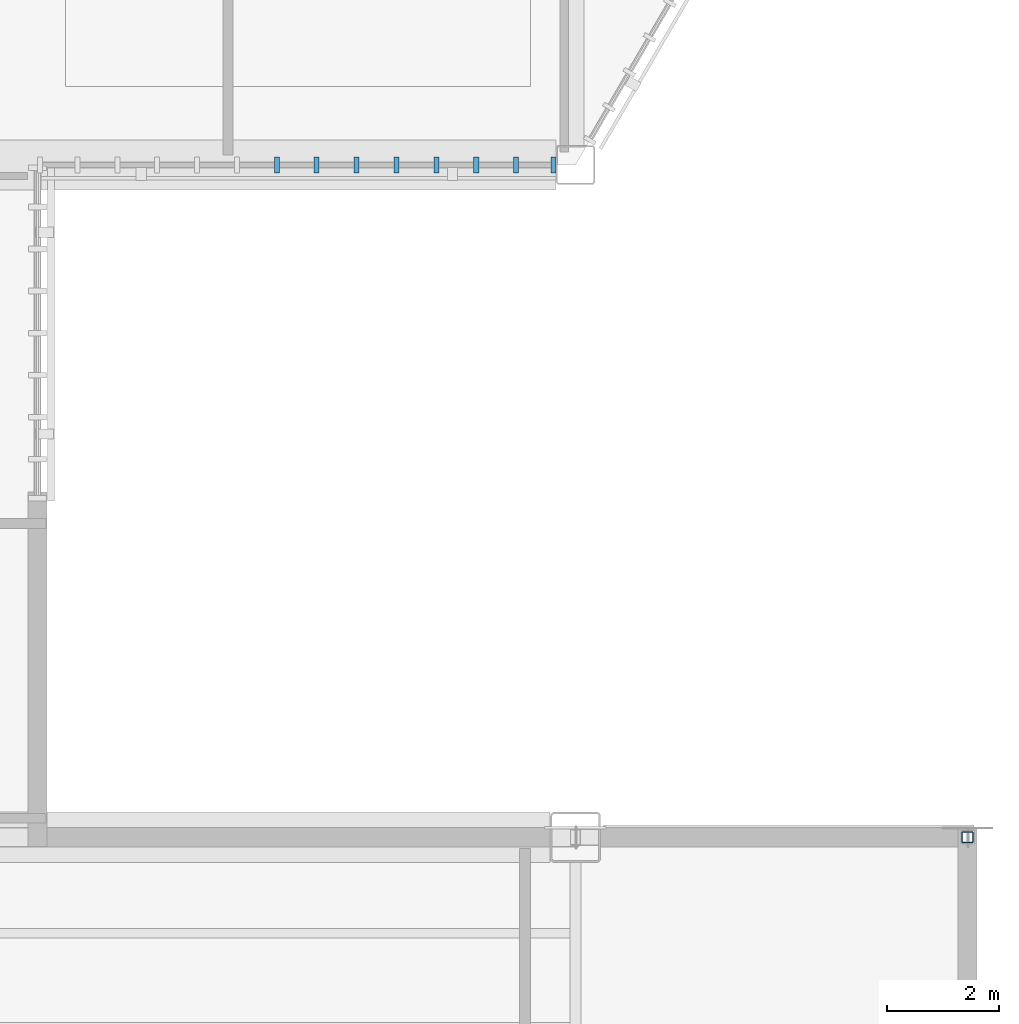
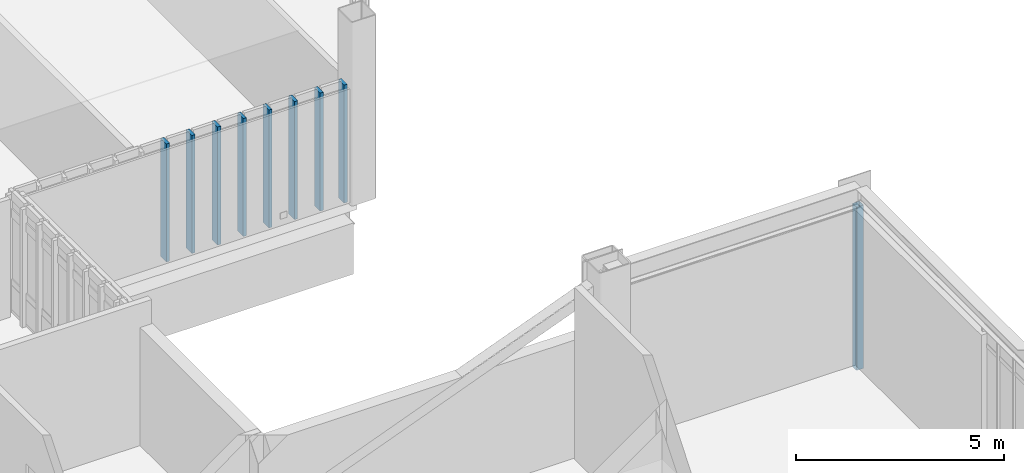
# One storey, part 31 of 127: 9 members, 1 element without a shape of its own.
"""IFC4 building model written with IfcOpenShell, lengths in metres."""

from ifc_helpers import new_model, si_unit, direction, frame, origin, origin_2d, place, context, subcontext, project, spatial, rectangle, hollow_rectangle, extrude, material, material_profile, profile_set, type_object, element, aggregate, save


model = new_model("IFC4")

# Units and contexts
model_context = context("Model", 3, precision=1e-05, world=origin(), true_north=direction((0.0, 1.0)))
body_context = subcontext(model_context, "Body", "Model", "MODEL_VIEW")
ifc_project = project(units=[si_unit("LENGTHUNIT", "METRE"), si_unit("AREAUNIT", "SQUARE_METRE"), si_unit("VOLUMEUNIT", "CUBIC_METRE"), si_unit("PLANEANGLEUNIT", "RADIAN"), si_unit("MASSUNIT", "GRAM", prefix="KILO")], contexts=[model_context])

# Site, building, storey
site_placement = place(None, origin())
site = spatial("IfcSite", under=ifc_project, at=site_placement, CompositionType="ELEMENT")
building_placement = place(site_placement, origin())
building = spatial("IfcBuilding", under=site, at=building_placement, Name="Larkvane Passage Sports Hall", CompositionType="ELEMENT")
storey_placement = place(building_placement, frame((0.0, 0.0, 5.39990234375)))
storey = spatial("IfcBuildingStorey", under=building, at=storey_placement, Name="L01", CompositionType="ELEMENT", Elevation=5.39990234375)

# Curtain wall, members
ifc_material_1 = material(Name="Thermally broken aluminium and low-E glazing", Category="aluminium")
curtain_wall_type = type_object("IfcCurtainWallType", Name="CW-STICK-FOYER", PredefinedType="USERDEFINED", material=ifc_material_1)
curtain_wall_placement = place(storey_placement, origin())
curtain_wall = element("IfcCurtainWall", 1, at=curtain_wall_placement, inside=storey, type_object=curtain_wall_type, Name="Curtain wall CW5-L01-058", ObjectType="STICK CURTAIN WALL", PredefinedType="USERDEFINED")
ifc_material_2 = material(Name="Anodised aluminium 6063-T6", Category="aluminium")
ifc_material_profile_1 = material_profile(ifc_material_2, rectangle(XDim=0.090087890625, YDim=0.280029296875, at=origin_2d()), Name="ALU-MUL-90x280")
ifc_profile_set_1 = profile_set([ifc_material_profile_1], Name="Anodised aluminium 6063-T6")
member_type_1 = type_object("IfcMemberType", Name="CW-MUL-90x280", PredefinedType="MULLION", material=ifc_profile_set_1)
member_1_placement = place(storey_placement, frame((145.208984375, 63.60009765625, 0.0), z_axis=(0.0, 0.0, 1.0), x_axis=(-1.0, 0.0, 0.0)))
member_1 = element("IfcMember", 2, at=member_1_placement, type_object=member_type_1, Name="CW-03 mullion 1", PredefinedType="MULLION", context=body_context, shape_type="SweptSolid", body=[
    extrude(rectangle(XDim=0.090087890625, YDim=0.280029296875, at=origin_2d()), origin(), (0.0, 0.0, 1.0), 3.468017578125),
])
member_2_placement = place(storey_placement, frame((144.542236328125, 63.60009765625, 0.0), z_axis=(0.0, 0.0, 1.0), x_axis=(-1.0, 0.0, 0.0)))
member_2 = element("IfcMember", 3, at=member_2_placement, type_object=member_type_1, Name="CW-03 mullion 2", PredefinedType="MULLION", context=body_context, shape_type="SweptSolid", body=[
    extrude(rectangle(XDim=0.090087890625, YDim=0.280029296875, at=origin_2d()), origin(), (0.0, 0.0, 1.0), 3.468017578125),
])
member_3_placement = place(storey_placement, frame((143.830322265625, 63.60009765625, 0.0), z_axis=(0.0, 0.0, 1.0), x_axis=(-1.0, 0.0, 0.0)))
member_3 = element("IfcMember", 4, at=member_3_placement, type_object=member_type_1, Name="CW-03 mullion 3", PredefinedType="MULLION", context=body_context, shape_type="SweptSolid", body=[
    extrude(rectangle(XDim=0.090087890625, YDim=0.280029296875, at=origin_2d()), origin(), (0.0, 0.0, 1.0), 3.468017578125),
])
member_4_placement = place(storey_placement, frame((143.118408203125, 63.60009765625, 0.0), z_axis=(0.0, 0.0, 1.0), x_axis=(-1.0, 0.0, 0.0)))
member_4 = element("IfcMember", 5, at=member_4_placement, type_object=member_type_1, Name="CW-03 mullion 4", PredefinedType="MULLION", context=body_context, shape_type="SweptSolid", body=[
    extrude(rectangle(XDim=0.090087890625, YDim=0.280029296875, at=origin_2d()), origin(), (0.0, 0.0, 1.0), 3.468017578125),
])
member_5_placement = place(storey_placement, frame((142.406494140625, 63.60009765625, 0.0), z_axis=(0.0, 0.0, 1.0), x_axis=(-1.0, 0.0, 0.0)))
member_5 = element("IfcMember", 6, at=member_5_placement, type_object=member_type_1, Name="CW-03 mullion 5", PredefinedType="MULLION", context=body_context, shape_type="SweptSolid", body=[
    extrude(rectangle(XDim=0.090087890625, YDim=0.280029296875, at=origin_2d()), origin(), (0.0, 0.0, 1.0), 3.468017578125),
])
member_6_placement = place(storey_placement, frame((141.69482421875, 63.60009765625, 0.0), z_axis=(0.0, 0.0, 1.0), x_axis=(-1.0, 0.0, 0.0)))
member_6 = element("IfcMember", 7, at=member_6_placement, type_object=member_type_1, Name="CW-03 mullion 6", PredefinedType="MULLION", context=body_context, shape_type="SweptSolid", body=[
    extrude(rectangle(XDim=0.090087890625, YDim=0.280029296875, at=origin_2d()), origin(), (0.0, 0.0, 1.0), 3.468017578125),
])
member_7_placement = place(storey_placement, frame((140.98291015625, 63.60009765625, 0.0), z_axis=(0.0, 0.0, 1.0), x_axis=(-1.0, 0.0, 0.0)))
member_7 = element("IfcMember", 8, at=member_7_placement, type_object=member_type_1, Name="CW-03 mullion 7", PredefinedType="MULLION", context=body_context, shape_type="SweptSolid", body=[
    extrude(rectangle(XDim=0.090087890625, YDim=0.280029296875, at=origin_2d()), origin(), (0.0, 0.0, 1.0), 3.468017578125),
])
member_8_placement = place(storey_placement, frame((140.27099609375, 63.60009765625, 0.0), z_axis=(0.0, 0.0, 1.0), x_axis=(-1.0, 0.0, 0.0)))
member_8 = element("IfcMember", 9, at=member_8_placement, type_object=member_type_1, Name="CW-03 mullion 8", PredefinedType="MULLION", context=body_context, shape_type="SweptSolid", body=[
    extrude(rectangle(XDim=0.090087890625, YDim=0.280029296875, at=origin_2d()), origin(), (0.0, 0.0, 1.0), 3.468017578125),
])
aggregate(curtain_wall, [member_1, member_2, member_3, member_4, member_5, member_6, member_7, member_8])

# Member
ifc_material_3 = material(Name="Steel S460N", Category="steel")
ifc_material_profile_2 = material_profile(ifc_material_3, hollow_rectangle(XDim=0.199951171875, YDim=0.199951171875, WallThickness=0.009033203125, InnerFilletRadius=0.009033203125, OuterFilletRadius=0.01806640625, at=origin_2d()), Name="SHS-200x200x9")
ifc_profile_set_2 = profile_set([ifc_material_profile_2], Name="Steel S460N")
member_type_2 = type_object("IfcMemberType", Name="MBR-ST-SHS200", PredefinedType="STRUT", material=ifc_profile_set_2)
member_9_placement = place(storey_placement, frame((152.60009765625, 51.60009765625, -0.22998046875), z_axis=(0.0, 0.0, 1.0), x_axis=(1.0, 0.0, 0.0)))
element("IfcMember", 10, at=member_9_placement, inside=storey, type_object=member_type_2, Name="Cantilever truss CT-E1A-2 vertical post 3", PredefinedType="STRUT", context=body_context, shape_type="SweptSolid", body=[
    extrude(hollow_rectangle(XDim=0.199951171875, YDim=0.199951171875, WallThickness=0.009033203125, InnerFilletRadius=0.009033203125, OuterFilletRadius=0.01806640625, at=origin_2d()), origin(), (0.0, 0.0, 1.0), 4.7919921875),
])

save(model, "model.ifc")
